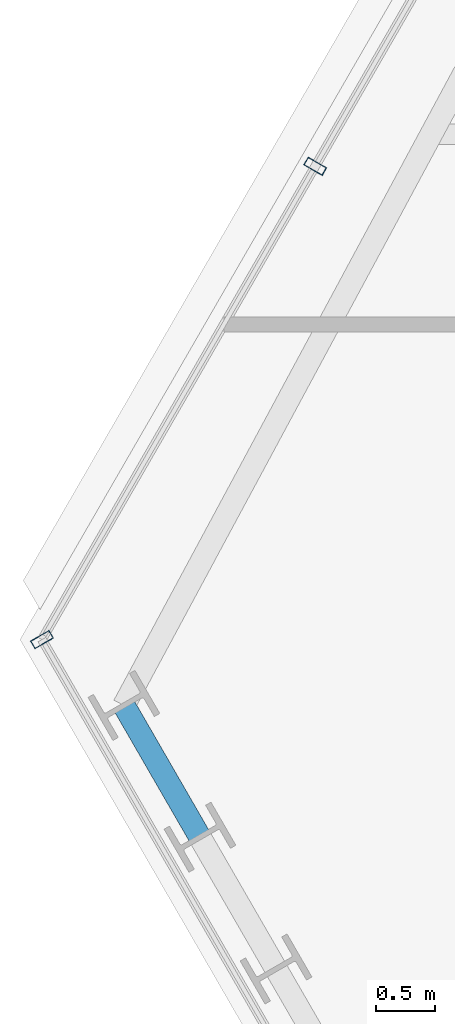
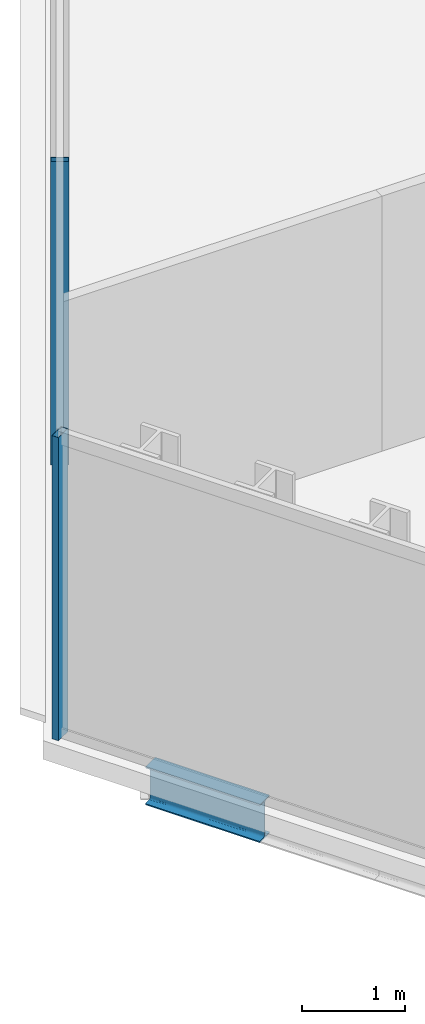
# One storey, part 5 of 33: 2 members, 1 beam, 2 elements without a shape of their own.
"""IFC4 building model written with IfcOpenShell, lengths in metres."""

from ifc_helpers import new_model, si_unit, direction, frame, origin, origin_2d, place, context, subcontext, project, spatial, hollow_rectangle, i_section, extrude, material, layer, layer_set, material_profile, profile_set, type_object, element, aggregate, save


model = new_model("IFC4")

# Units and contexts
model_context = context("Model", 3, precision=1e-05, world=origin(), true_north=direction((0.0, 1.0)))
body_context = subcontext(model_context, "Body", "Model", "MODEL_VIEW")
ifc_project = project(units=[si_unit("LENGTHUNIT", "METRE"), si_unit("AREAUNIT", "SQUARE_METRE"), si_unit("VOLUMEUNIT", "CUBIC_METRE"), si_unit("PLANEANGLEUNIT", "RADIAN"), si_unit("MASSUNIT", "GRAM", prefix="KILO")], contexts=[model_context])

# Site, building, storey
site_placement = place(None, origin())
site = spatial("IfcSite", under=ifc_project, at=site_placement, CompositionType="ELEMENT")
building_placement = place(site_placement, origin())
building = spatial("IfcBuilding", under=site, at=building_placement, Name="Ndaravel Arena Tower", CompositionType="ELEMENT")
storey_placement = place(building_placement, frame((0.0, 0.0, 161.199951171875)))
storey = spatial("IfcBuildingStorey", under=building, at=storey_placement, Name="L38", CompositionType="ELEMENT", Elevation=161.199951171875)

# Beam
ifc_material_1 = material(Name="Steel S355", Category="steel")
ifc_material_profile_1 = material_profile(ifc_material_1, i_section(OverallWidth=0.18994140625, OverallDepth=0.449951171875, WebThickness=0.009521484375, FlangeThickness=0.0146484375, FilletRadius=0.02099609375, at=origin_2d()), Name="IPE 450")
ifc_profile_set_1 = profile_set([ifc_material_profile_1], Name="Steel S355")
beam_type = type_object("IfcBeamType", Name="BM-SPAN-IPE450", PredefinedType="SPANDREL", material=ifc_profile_set_1)
beam_placement = place(storey_placement, frame((18.994140625, 13.794189453125, -0.445068359375), z_axis=(0.499893060024, -0.866087136806, 0.0), x_axis=(0.866087136806, 0.499893060024, 0.0)))
element("IfcBeam", 1, at=beam_placement, inside=storey, type_object=beam_type, Name="L38 Perimeter Spandrel Beam SP-20", PredefinedType="SPANDREL", context=body_context, shape_type="SweptSolid", body=[
    extrude(i_section(OverallWidth=0.18994140625, OverallDepth=0.449951171875, WebThickness=0.009521484375, FlangeThickness=0.0146484375, FilletRadius=0.02099609375, at=origin_2d()), origin(), (0.0, 0.0, 1.0), 1.280029296875),
])

# Curtain wall, member
ifc_material_2 = material(Name="Aluminium", Category="aluminium")
ifc_layer_1 = layer(ifc_material_2, 0.179931640625)
ifc_layer_set_1 = layer_set([ifc_layer_1], Name="Aluminium")
curtain_wall_type_1 = type_object("IfcCurtainWallType", Name="CW-SYS-03", PredefinedType="NOTDEFINED", material=ifc_layer_set_1)
curtain_wall_1_placement = place(storey_placement, origin())
curtain_wall_1 = element("IfcCurtainWall", 2, at=curtain_wall_1_placement, inside=storey, type_object=curtain_wall_type_1, Name="L38 Faceted Crystal Curtain Wall CW-L38-E05", PredefinedType="NOTDEFINED")
ifc_material_3 = material(Name="Aluminium", Category="aluminium")
ifc_material_profile_2 = material_profile(ifc_material_3, hollow_rectangle(XDim=0.074951171875, YDim=0.179931640625, WallThickness=0.00390625, at=origin_2d()), Name="CW MULLION 75x180x4")
ifc_profile_set_2 = profile_set([ifc_material_profile_2], Name="Aluminium")
member_type = type_object("IfcMemberType", Name="MEM-CW-MUL180", PredefinedType="MULLION", material=ifc_profile_set_2)
member_1_placement = place(storey_placement, frame((20.603515625, 18.330078125, 0.0), z_axis=(0.0, 0.0, 1.0), x_axis=(-0.5, -0.866025403784, 0.0)))
member_1 = element("IfcMember", 3, at=member_1_placement, type_object=member_type, Name="CW-L38-E05 Mullion 07", PredefinedType="MULLION", context=body_context, shape_type="SweptSolid", body=[
    extrude(hollow_rectangle(XDim=0.074951171875, YDim=0.179931640625, WallThickness=0.00390625, at=origin_2d()), origin(), (0.0, 0.0, 1.0), 3.580078125),
])
aggregate(curtain_wall_1, [member_1])

ifc_material_4 = material(Name="Aluminium", Category="aluminium")
ifc_layer_2 = layer(ifc_material_4, 0.179931640625)
ifc_layer_set_2 = layer_set([ifc_layer_2], Name="Aluminium")
curtain_wall_type_2 = type_object("IfcCurtainWallType", Name="CW-SYS-02", PredefinedType="NOTDEFINED", material=ifc_layer_set_2)
curtain_wall_2_placement = place(storey_placement, origin())
curtain_wall_2 = element("IfcCurtainWall", 4, at=curtain_wall_2_placement, inside=storey, type_object=curtain_wall_type_2, Name="L38 Faceted Crystal Curtain Wall CW-L38-E06", PredefinedType="NOTDEFINED")
member_2_placement = place(storey_placement, frame((18.3046875, 14.348388671875, 0.0), z_axis=(0.0, 0.0, 1.0), x_axis=(0.5, -0.866025403784, 0.0)))
member_2 = element("IfcMember", 5, at=member_2_placement, type_object=member_type, Name="CW-L38-E06 Mullion 00", PredefinedType="MULLION", context=body_context, shape_type="SweptSolid", body=[
    extrude(hollow_rectangle(XDim=0.074951171875, YDim=0.179931640625, WallThickness=0.00390625, at=origin_2d()), origin(), (0.0, 0.0, 1.0), 3.580078125),
])
aggregate(curtain_wall_2, [member_2])

save(model, "model.ifc")
